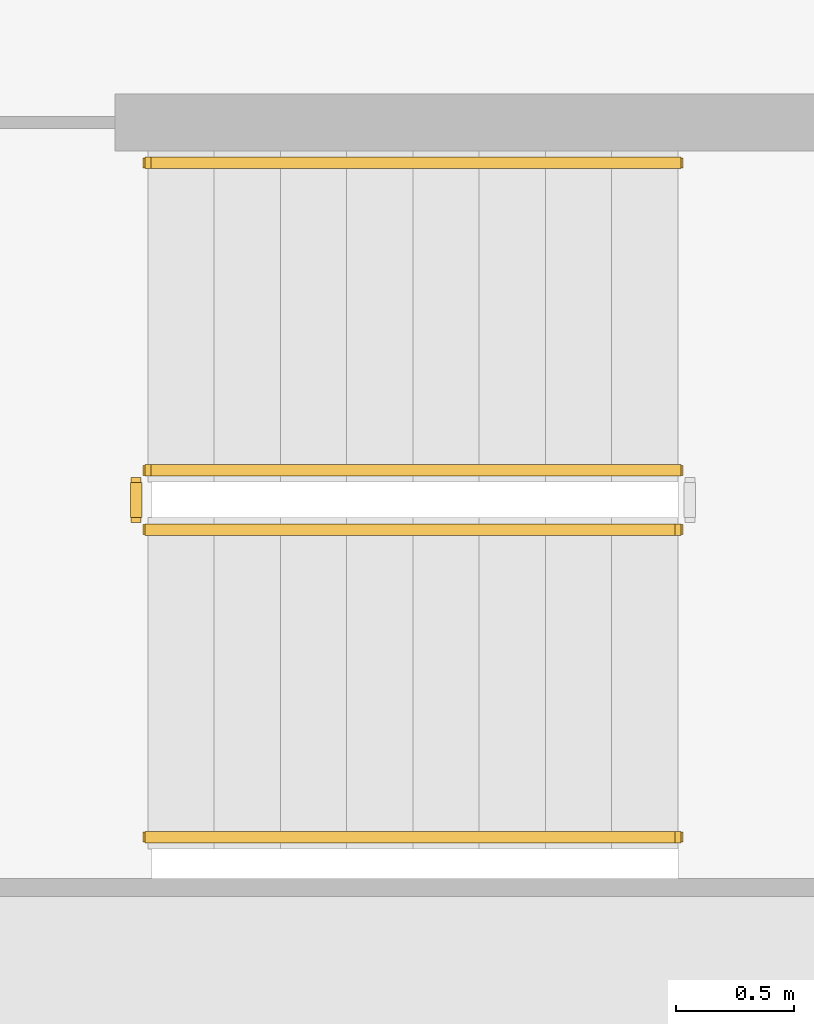
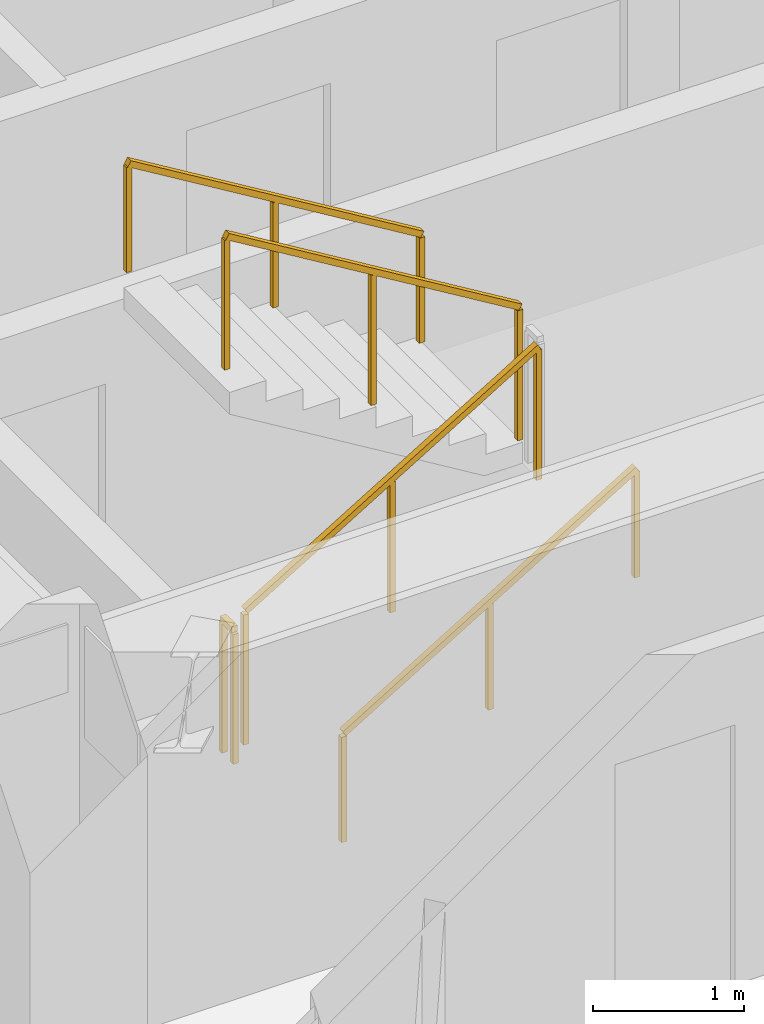
# One storey, part 21 of 27: 5 railings.
"""IFC4 building model written with IfcOpenShell, lengths in metres."""

from ifc_helpers import new_model, si_unit, direction, frame, origin, origin_2d, place, context, subcontext, project, spatial, rectangle, extrude, material, type_object, element, save


model = new_model("IFC4")

# Units and contexts
model_context = context("Model", 3, precision=1e-05, world=origin(), true_north=direction((0.0, 1.0)))
body_context = subcontext(model_context, "Body", "Model", "MODEL_VIEW")
ifc_project = project(units=[si_unit("LENGTHUNIT", "METRE"), si_unit("AREAUNIT", "SQUARE_METRE"), si_unit("VOLUMEUNIT", "CUBIC_METRE"), si_unit("PLANEANGLEUNIT", "RADIAN"), si_unit("MASSUNIT", "GRAM", prefix="KILO")], contexts=[model_context])

# Site, building, storey
site_placement = place(None, origin())
site = spatial("IfcSite", under=ifc_project, at=site_placement, CompositionType="ELEMENT")
building_placement = place(site_placement, origin())
building = spatial("IfcBuilding", under=site, at=building_placement, Name="Norrkilde Senior Care Towers", CompositionType="ELEMENT")
storey_placement = place(building_placement, frame((0.0, 0.0, 52.10009765625)))
storey = spatial("IfcBuildingStorey", under=building, at=storey_placement, Name="L15", CompositionType="ELEMENT", Elevation=52.10009765625)

# Railings
ifc_material_1 = material(Name="Stainless Steel", Category="steel")
railing_type_1 = type_object("IfcRailingType", Name="Stair and Terrace Guardrail 1100", PredefinedType="GUARDRAIL", material=ifc_material_1)
railing_1_placement = place(storey_placement, frame((-33.10009765625, -4.050048828125, 0.16943359375)))
element("IfcRailing", 1, at=railing_1_placement, inside=storey, type_object=railing_type_1, Name="L15 ST-W2 stair guard 1", PredefinedType="GUARDRAIL", context=body_context, shape_type="SweptSolid", body=[
    extrude(rectangle(XDim=0.048095703125, YDim=0.048095703125, at=origin_2d()), frame((0.0, 0.0, 1.076171875), z_axis=(0.855553338991, 0.0, 0.51771467445), x_axis=(0.0, 1.0, 0.0)), (0.0, 0.0, 1.0), 2.6181640625),
    extrude(rectangle(XDim=0.0419921875, YDim=0.0419921875, at=origin_2d()), origin(), (0.0, 0.0, 1.0), 1.050048828125),
    extrude(rectangle(XDim=0.0419921875, YDim=0.0419921875, at=origin_2d()), frame((1.1201171875, 0.0, 0.677734375)), (0.0, 0.0, 1.0), 1.050048828125),
    extrude(rectangle(XDim=0.0419921875, YDim=0.0419921875, at=origin_2d()), frame((2.239990234375, 0.0, 1.35546875)), (0.0, 0.0, 1.0), 1.050048828125),
])
railing_2_placement = place(storey_placement, frame((-30.860107421875, -3.800048828125, 1.6943359375)))
element("IfcRailing", 2, at=railing_2_placement, inside=storey, type_object=railing_type_1, Name="L15 ST-W2 stair guard 3", PredefinedType="GUARDRAIL", context=body_context, shape_type="SweptSolid", body=[
    extrude(rectangle(XDim=0.048095703125, YDim=0.048095703125, at=origin_2d()), frame((0.0, 0.0, 1.076171875), z_axis=(-0.855553338991, 0.0, 0.51771467445), x_axis=(0.0, -1.0, 0.0)), (0.0, 0.0, 1.0), 2.6181640625),
    extrude(rectangle(XDim=0.0419921875, YDim=0.0419921875, at=origin_2d()), origin(), (0.0, 0.0, 1.0), 1.050048828125),
    extrude(rectangle(XDim=0.0419921875, YDim=0.0419921875, at=origin_2d()), frame((-1.1201171875, 0.0, 0.677734375)), (0.0, 0.0, 1.0), 1.050048828125),
    extrude(rectangle(XDim=0.0419921875, YDim=0.0419921875, at=origin_2d()), frame((-2.239990234375, 0.0, 1.35546875)), (0.0, 0.0, 1.0), 1.050048828125),
])
railing_3_placement = place(storey_placement, frame((-33.14990234375, -4.0, 0.0)))
element("IfcRailing", 3, at=railing_3_placement, inside=storey, type_object=railing_type_1, Name="L15 ST-W2 stair guard 4", PredefinedType="GUARDRAIL", context=body_context, shape_type="SweptSolid", body=[
    extrude(rectangle(XDim=0.048095703125, YDim=0.048095703125, at=origin_2d()), frame((0.0, 0.0, 1.076171875), z_axis=(0.0, 1.0, 0.0), x_axis=(-1.0, 0.0, 0.0)), (0.0, 0.0, 1.0), 0.14990234375),
    extrude(rectangle(XDim=0.0419921875, YDim=0.0419921875, at=origin_2d()), origin(), (0.0, 0.0, 1.0), 1.050048828125),
    extrude(rectangle(XDim=0.0419921875, YDim=0.0419921875, at=origin_2d()), frame((0.0, 0.14990234375, 0.0)), (0.0, 0.0, 1.0), 1.050048828125),
])
ifc_material_2 = material(Name="Nordic Ash Timber", Category="wood")
railing_type_2 = type_object("IfcRailingType", Name="Wall and Stair Handrail 900", PredefinedType="HANDRAIL", material=ifc_material_2)
railing_4_placement = place(storey_placement, frame((-33.10009765625, -5.35009765625, 0.16943359375)))
element("IfcRailing", 4, at=railing_4_placement, inside=storey, type_object=railing_type_2, Name="L15 ST-W2 stair handrail 1", PredefinedType="HANDRAIL", context=body_context, shape_type="SweptSolid", body=[
    extrude(rectangle(XDim=0.048095703125, YDim=0.048095703125, at=origin_2d()), frame((0.0, 0.0, 0.8759765625), z_axis=(0.855553338991, 0.0, 0.51771467445), x_axis=(0.0, 1.0, 0.0)), (0.0, 0.0, 1.0), 2.6181640625),
    extrude(rectangle(XDim=0.0419921875, YDim=0.0419921875, at=origin_2d()), origin(), (0.0, 0.0, 1.0), 0.849853515625),
    extrude(rectangle(XDim=0.0419921875, YDim=0.0419921875, at=origin_2d()), frame((1.1201171875, 0.0, 0.677734375)), (0.0, 0.0, 1.0), 0.849853515625),
    extrude(rectangle(XDim=0.0419921875, YDim=0.0419921875, at=origin_2d()), frame((2.239990234375, 0.0, 1.35546875)), (0.0, 0.0, 1.0), 0.849853515625),
])
railing_5_placement = place(storey_placement, frame((-30.860107421875, -2.5, 1.6943359375)))
element("IfcRailing", 5, at=railing_5_placement, inside=storey, type_object=railing_type_2, Name="L15 ST-W2 stair handrail 2", PredefinedType="HANDRAIL", context=body_context, shape_type="SweptSolid", body=[
    extrude(rectangle(XDim=0.048095703125, YDim=0.048095703125, at=origin_2d()), frame((0.0, 0.0, 0.8759765625), z_axis=(-0.855553338991, 0.0, 0.51771467445), x_axis=(0.0, -1.0, 0.0)), (0.0, 0.0, 1.0), 2.6181640625),
    extrude(rectangle(XDim=0.0419921875, YDim=0.0419921875, at=origin_2d()), origin(), (0.0, 0.0, 1.0), 0.849853515625),
    extrude(rectangle(XDim=0.0419921875, YDim=0.0419921875, at=origin_2d()), frame((-1.1201171875, 0.0, 0.677734375)), (0.0, 0.0, 1.0), 0.849853515625),
    extrude(rectangle(XDim=0.0419921875, YDim=0.0419921875, at=origin_2d()), frame((-2.239990234375, 0.0, 1.35546875)), (0.0, 0.0, 1.0), 0.849853515625),
])

save(model, "model.ifc")
